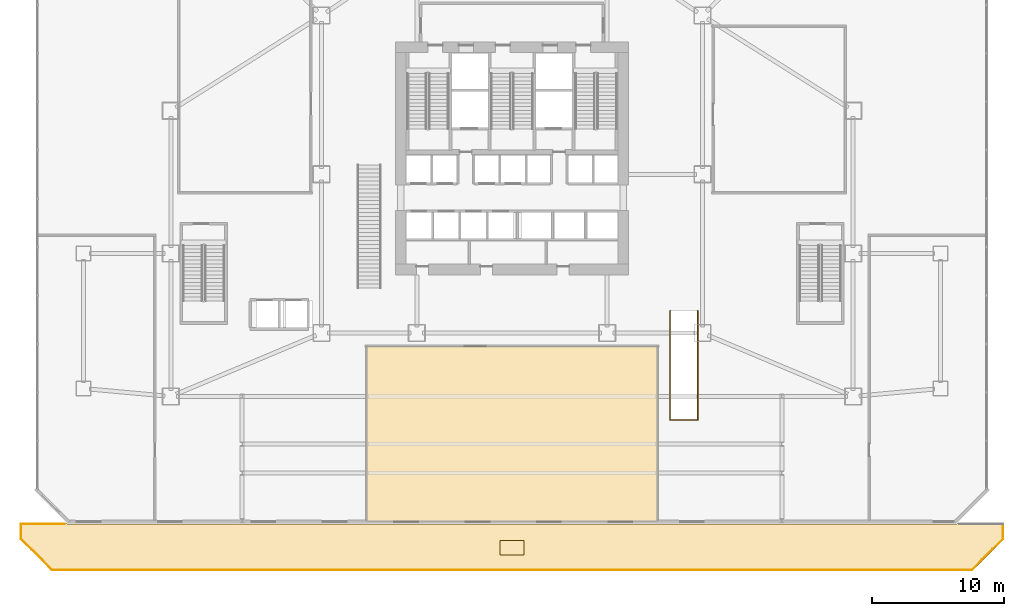
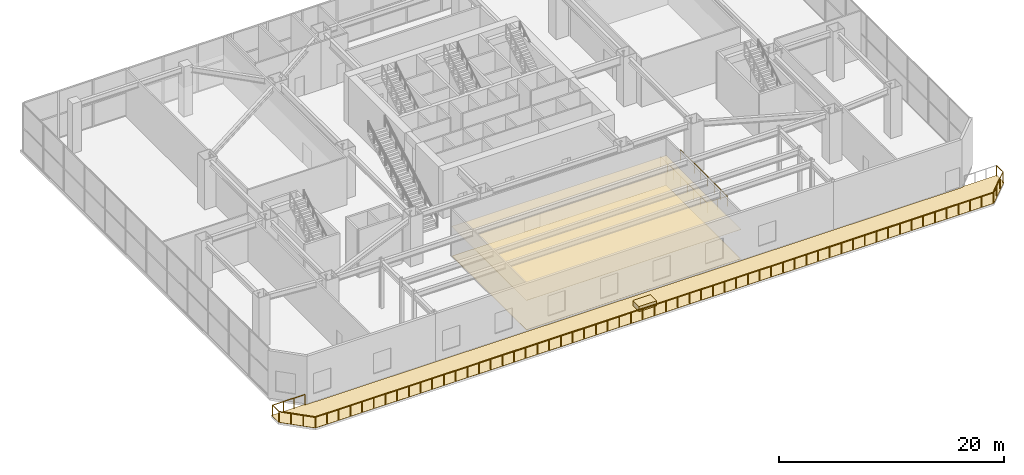
# One storey, part 33 of 37: 4 coverings, 2 railings.
"""IFC4 building model written with IfcOpenShell, lengths in metres."""

from ifc_helpers import new_model, si_unit, direction, frame, origin, origin_2d, place, context, subcontext, project, spatial, polyline, rectangle, circle, outline, extrude, material, layer, layer_set, type_object, element, save


model = new_model("IFC4")

# Units and contexts
model_context = context("Model", 3, precision=1e-05, world=origin(), true_north=direction((0.0, 1.0)))
body_context = subcontext(model_context, "Body", "Model", "MODEL_VIEW")
ifc_project = project(units=[si_unit("LENGTHUNIT", "METRE"), si_unit("AREAUNIT", "SQUARE_METRE"), si_unit("VOLUMEUNIT", "CUBIC_METRE"), si_unit("PLANEANGLEUNIT", "RADIAN"), si_unit("MASSUNIT", "GRAM", prefix="KILO")], contexts=[model_context])

# Site, building, storey
site_placement = place(None, origin())
site = spatial("IfcSite", under=ifc_project, at=site_placement, CompositionType="ELEMENT")
building_placement = place(site_placement, origin())
building = spatial("IfcBuilding", under=site, at=building_placement, Name="Haolan Belvedere Tower", CompositionType="ELEMENT")
storey_placement = place(building_placement, frame((0.0, 0.0, 10.199951171875)))
storey = spatial("IfcBuildingStorey", under=building, at=storey_placement, Name="L02", CompositionType="ELEMENT", Elevation=10.199951171875)

# Coverings
ifc_material_1 = material(Name="Acoustic mineral-fibre suspended ceiling system", Category="masonry")
ifc_layer_1 = layer(ifc_material_1, 0.02490234375, Name="Acoustic mineral-fibre suspended ceiling system")
ifc_layer_set_1 = layer_set([ifc_layer_1], Name="Acoustic mineral-fibre suspended ceiling system")
covering_type_1 = type_object("IfcCoveringType", Name="COV-CEIL-AC25", PredefinedType="CEILING", material=ifc_layer_set_1)
covering_1_placement = place(storey_placement, frame((0.0, 0.0, 3.199951171875)))
element("IfcCovering", 1, at=covering_1_placement, inside=storey, type_object=covering_type_1, Name="L02 suspended acoustic ceiling L02-PFG.1", PredefinedType="CEILING", context=body_context, shape_type="SweptSolid", body=[
    extrude(outline(polyline([(49.412109375, 7.337890625), (49.412109375, 20.612060546875), (27.387939453125, 20.612060546875), (27.387939453125, 7.337890625), (49.412109375, 7.337890625)])), origin(), (0.0, 0.0, 1.0), 0.025146484375),
])
ifc_material_2 = material(Name="Honed terrazzo and natural granite stone flooring", Category="masonry")
ifc_layer_2 = layer(ifc_material_2, 0.014892578125, Name="Honed terrazzo and natural granite stone flooring")
ifc_layer_set_2 = layer_set([ifc_layer_2], Name="Honed terrazzo and natural granite stone flooring")
covering_type_2 = type_object("IfcCoveringType", Name="COV-FLR-STN30", PredefinedType="FLOORING", material=ifc_layer_set_2)
covering_2_placement = place(storey_placement, origin())
element("IfcCovering", 2, at=covering_2_placement, inside=storey, type_object=covering_type_2, Name="L02 polished stone floor finish L02-PFG.1", PredefinedType="FLOORING", context=body_context, shape_type="SweptSolid", body=[
    extrude(outline(polyline([(49.386962890625, 20.5869140625), (27.4130859375, 20.5869140625), (27.4130859375, 7.363037109375), (49.386962890625, 7.363037109375), (49.386962890625, 20.5869140625)])), origin(), (0.0, 0.0, 1.0), 0.01513671875),
])
ifc_material_3 = material(Name="Engineered lightweight planted garden soil substrate", Category="masonry")
ifc_layer_3 = layer(ifc_material_3, 0.550048828125, Name="Engineered lightweight planted garden soil substrate")
ifc_layer_set_3 = layer_set([ifc_layer_3], Name="Engineered lightweight planted garden soil substrate")
covering_type_3 = type_object("IfcCoveringType", Name="COV-PLANT-550", PredefinedType="MEMBRANE", material=ifc_layer_set_3)
covering_3_placement = place(storey_placement, frame((38.39990234375, 5.375, 0.0), z_axis=(0.0, 0.0, 1.0), x_axis=(1.0, 0.0, 0.0)))
element("IfcCovering", 3, at=covering_3_placement, inside=storey, type_object=covering_type_3, Name="L02 cascade garden terrace PLANTER bed 1", PredefinedType="MEMBRANE", context=body_context, shape_type="SweptSolid", body=[
    extrude(rectangle(XDim=1.800048828125, YDim=1.10009765625, at=origin_2d()), origin(), (0.0, 0.0, 1.0), 0.550048828125),
])
ifc_material_4 = material(Name="Elastomeric waterproof roofing membrane and stone pavers", Category="masonry")
ifc_layer_4 = layer(ifc_material_4, 0.02001953125, Name="Elastomeric waterproof roofing membrane and stone pavers")
ifc_layer_set_4 = layer_set([ifc_layer_4], Name="Elastomeric waterproof roofing membrane and stone pavers")
covering_type_4 = type_object("IfcCoveringType", Name="COV-ROOF-20", PredefinedType="ROOFING", material=ifc_layer_set_4)
covering_4_placement = place(storey_placement, frame((0.0, 0.0, -0.02001953125)))
element("IfcCovering", 4, at=covering_4_placement, inside=storey, type_object=covering_type_4, Name="L02 garden terrace waterproof roofing paver 1", PredefinedType="ROOFING", context=body_context, shape_type="SweptSolid", body=[
    extrude(outline(polyline([(75.60009765625, 7.25), (72.120849609375, 7.25), (72.03662109375, 7.166015625), (72.0341796875, 7.163818359375), (72.02978515625, 7.159912109375), (72.025634765625, 7.1572265625), (72.021240234375, 7.15478515625), (72.016845703125, 7.153076171875), (72.01220703125, 7.151611328125), (72.00732421875, 7.150634765625), (72.00146484375, 7.150146484375), (71.998291015625, 7.14990234375), (4.8017578125, 7.14990234375), (4.798583984375, 7.150146484375), (4.792724609375, 7.150634765625), (4.787841796875, 7.151611328125), (4.783203125, 7.153076171875), (4.77880859375, 7.15478515625), (4.7744140625, 7.1572265625), (4.770263671875, 7.159912109375), (4.765625, 7.163818359375), (4.76318359375, 7.166015625), (4.67919921875, 7.25), (1.199951171875, 7.25), (1.199951171875, 6.0), (3.60009765625, 3.60009765625), (73.199951171875, 3.60009765625), (75.60009765625, 6.0), (75.60009765625, 7.25)])), origin(), (0.0, 0.0, 1.0), 0.02001953125),
])

# Railings
ifc_material_5 = material(Name="Brushed stainless steel 304", Category="steel")
railing_type_1 = type_object("IfcRailingType", Name="RL-STAIR-GRD-1150", PredefinedType="GUARDRAIL", material=ifc_material_5)
railing_1_placement = place(storey_placement, frame((50.360107421875, 23.284912109375, 0.0)))
element("IfcRailing", 5, at=railing_1_placement, inside=storey, type_object=railing_type_1, Name="L02 ST7 upper well perimeter guard", PredefinedType="GUARDRAIL", context=body_context, shape_type="SweptSolid", body=[
    extrude(circle(Radius=0.02392578125, at=origin_2d()), frame((0.0, 0.0, 1.1259765625), z_axis=(0.0, -1.0, 0.0), x_axis=(1.0, 0.0, 0.0)), (0.0, 0.0, 1.0), 8.264892578125),
    extrude(circle(Radius=0.02392578125, at=origin_2d()), frame((0.0, -8.264892578125, 1.1259765625), z_axis=(1.0, 0.0, 0.0), x_axis=(0.0, 1.0, 0.0)), (0.0, 0.0, 1.0), 2.079833984375),
    extrude(circle(Radius=0.02392578125, at=origin_2d()), frame((2.079833984375, -8.264892578125, 1.1259765625), z_axis=(0.0, 1.0, 0.0), x_axis=(-1.0, 0.0, 0.0)), (0.0, 0.0, 1.0), 8.264892578125),
    extrude(circle(Radius=0.02099609375, at=origin_2d()), origin(), (0.0, 0.0, 1.0), 1.101806640625),
    extrude(circle(Radius=0.02099609375, at=origin_2d()), frame((0.0, -1.1806640625, 0.0)), (0.0, 0.0, 1.0), 1.101806640625),
    extrude(circle(Radius=0.02099609375, at=origin_2d()), frame((0.0, -2.361328125, 0.0)), (0.0, 0.0, 1.0), 1.101806640625),
    extrude(circle(Radius=0.02099609375, at=origin_2d()), frame((0.0, -3.5419921875, 0.0)), (0.0, 0.0, 1.0), 1.101806640625),
    extrude(circle(Radius=0.02099609375, at=origin_2d()), frame((0.0, -4.722900390625, 0.0)), (0.0, 0.0, 1.0), 1.101806640625),
    extrude(circle(Radius=0.02099609375, at=origin_2d()), frame((0.0, -5.903564453125, 0.0)), (0.0, 0.0, 1.0), 1.101806640625),
    extrude(circle(Radius=0.02099609375, at=origin_2d()), frame((0.0, -7.084228515625, 0.0)), (0.0, 0.0, 1.0), 1.101806640625),
    extrude(circle(Radius=0.02099609375, at=origin_2d()), frame((0.0, -8.264892578125, 0.0)), (0.0, 0.0, 1.0), 1.101806640625),
    extrude(circle(Radius=0.02099609375, at=origin_2d()), frame((1.0400390625, -8.264892578125, 0.0)), (0.0, 0.0, 1.0), 1.101806640625),
    extrude(circle(Radius=0.02099609375, at=origin_2d()), frame((2.079833984375, -8.264892578125, 0.0)), (0.0, 0.0, 1.0), 1.101806640625),
    extrude(circle(Radius=0.02099609375, at=origin_2d()), frame((2.079833984375, -7.084228515625, 0.0)), (0.0, 0.0, 1.0), 1.101806640625),
    extrude(circle(Radius=0.02099609375, at=origin_2d()), frame((2.079833984375, -5.903564453125, 0.0)), (0.0, 0.0, 1.0), 1.101806640625),
    extrude(circle(Radius=0.02099609375, at=origin_2d()), frame((2.079833984375, -4.722900390625, 0.0)), (0.0, 0.0, 1.0), 1.101806640625),
    extrude(circle(Radius=0.02099609375, at=origin_2d()), frame((2.079833984375, -3.5419921875, 0.0)), (0.0, 0.0, 1.0), 1.101806640625),
    extrude(circle(Radius=0.02099609375, at=origin_2d()), frame((2.079833984375, -2.361328125, 0.0)), (0.0, 0.0, 1.0), 1.101806640625),
    extrude(circle(Radius=0.02099609375, at=origin_2d()), frame((2.079833984375, -1.1806640625, 0.0)), (0.0, 0.0, 1.0), 1.101806640625),
    extrude(circle(Radius=0.02099609375, at=origin_2d()), frame((2.079833984375, 0.0, 0.0)), (0.0, 0.0, 1.0), 1.101806640625),
])
ifc_material_6 = material(Name="Anodised aluminium and laminated glass balustrade", Category="aluminium")
railing_type_2 = type_object("IfcRailingType", Name="RL-TER-BAL-1150", PredefinedType="BALUSTRADE", material=ifc_material_6)
railing_2_placement = place(storey_placement, frame((75.52001953125, 7.169921875, 0.0)))
element("IfcRailing", 6, at=railing_2_placement, inside=storey, type_object=railing_type_2, Name="L02 outdoor perimeter balustrade TERR-L02-1-1", PredefinedType="BALUSTRADE", context=body_context, shape_type="SweptSolid", body=[
    extrude(circle(Radius=0.02392578125, at=origin_2d()), frame((0.0, 0.0, 1.1259765625), z_axis=(0.0, -1.0, 0.0), x_axis=(1.0, 0.0, 0.0)), (0.0, 0.0, 1.0), 1.13671875),
    extrude(circle(Radius=0.02392578125, at=origin_2d()), frame((0.0, -1.13671875, 1.1259765625), z_axis=(-0.707070098865, -0.707143461606, 0.0), x_axis=(0.707143461606, -0.707070098865, 0.0)), (0.0, 0.0, 1.0), 3.327880859375),
    extrude(circle(Radius=0.02392578125, at=origin_2d()), frame((-2.35302734375, -3.489990234375, 1.1259765625), z_axis=(-1.0, 0.0, 0.0), x_axis=(0.0, -1.0, 0.0)), (0.0, 0.0, 1.0), 69.533935546875),
    extrude(circle(Radius=0.02392578125, at=origin_2d()), frame((-71.886962890625, -3.489990234375, 1.1259765625), z_axis=(-0.707070098865, 0.707143461606, 0.0), x_axis=(-0.707143461606, -0.707070098865, 0.0)), (0.0, 0.0, 1.0), 3.327880859375),
    extrude(circle(Radius=0.02392578125, at=origin_2d()), frame((-74.239990234375, -1.13671875, 1.1259765625), z_axis=(0.0, 1.0, 0.0), x_axis=(-1.0, 0.0, 0.0)), (0.0, 0.0, 1.0), 1.13671875),
    extrude(circle(Radius=0.02392578125, at=origin_2d()), frame((-74.239990234375, 0.0, 1.1259765625), z_axis=(1.0, 0.0, 0.0), x_axis=(0.0, 1.0, 0.0)), (0.0, 0.0, 1.0), 3.29541015625),
    extrude(circle(Radius=0.02099609375, at=origin_2d()), origin(), (0.0, 0.0, 1.0), 1.101806640625),
    extrude(circle(Radius=0.02099609375, at=origin_2d()), frame((0.0, -1.13671875, 0.0)), (0.0, 0.0, 1.0), 1.101806640625),
    extrude(circle(Radius=0.02099609375, at=origin_2d()), frame((-0.784423828125, -1.921142578125, 0.0)), (0.0, 0.0, 1.0), 1.101806640625),
    extrude(circle(Radius=0.02099609375, at=origin_2d()), frame((-1.568603515625, -2.70556640625, 0.0)), (0.0, 0.0, 1.0), 1.101806640625),
    extrude(circle(Radius=0.02099609375, at=origin_2d()), frame((-2.35302734375, -3.489990234375, 0.0)), (0.0, 0.0, 1.0), 1.101806640625),
    extrude(circle(Radius=0.02099609375, at=origin_2d()), frame((-3.552001953125, -3.489990234375, 0.0)), (0.0, 0.0, 1.0), 1.101806640625),
    extrude(circle(Radius=0.02099609375, at=origin_2d()), frame((-4.750732421875, -3.489990234375, 0.0)), (0.0, 0.0, 1.0), 1.101806640625),
    extrude(circle(Radius=0.02099609375, at=origin_2d()), frame((-5.94970703125, -3.489990234375, 0.0)), (0.0, 0.0, 1.0), 1.101806640625),
    extrude(circle(Radius=0.02099609375, at=origin_2d()), frame((-7.1484375, -3.489990234375, 0.0)), (0.0, 0.0, 1.0), 1.101806640625),
    extrude(circle(Radius=0.02099609375, at=origin_2d()), frame((-8.347412109375, -3.489990234375, 0.0)), (0.0, 0.0, 1.0), 1.101806640625),
    extrude(circle(Radius=0.02099609375, at=origin_2d()), frame((-9.546142578125, -3.489990234375, 0.0)), (0.0, 0.0, 1.0), 1.101806640625),
    extrude(circle(Radius=0.02099609375, at=origin_2d()), frame((-10.7451171875, -3.489990234375, 0.0)), (0.0, 0.0, 1.0), 1.101806640625),
    extrude(circle(Radius=0.02099609375, at=origin_2d()), frame((-11.94384765625, -3.489990234375, 0.0)), (0.0, 0.0, 1.0), 1.101806640625),
    extrude(circle(Radius=0.02099609375, at=origin_2d()), frame((-13.142822265625, -3.489990234375, 0.0)), (0.0, 0.0, 1.0), 1.101806640625),
    extrude(circle(Radius=0.02099609375, at=origin_2d()), frame((-14.341552734375, -3.489990234375, 0.0)), (0.0, 0.0, 1.0), 1.101806640625),
    extrude(circle(Radius=0.02099609375, at=origin_2d()), frame((-15.54052734375, -3.489990234375, 0.0)), (0.0, 0.0, 1.0), 1.101806640625),
    extrude(circle(Radius=0.02099609375, at=origin_2d()), frame((-16.7392578125, -3.489990234375, 0.0)), (0.0, 0.0, 1.0), 1.101806640625),
    extrude(circle(Radius=0.02099609375, at=origin_2d()), frame((-17.938232421875, -3.489990234375, 0.0)), (0.0, 0.0, 1.0), 1.101806640625),
    extrude(circle(Radius=0.02099609375, at=origin_2d()), frame((-19.136962890625, -3.489990234375, 0.0)), (0.0, 0.0, 1.0), 1.101806640625),
    extrude(circle(Radius=0.02099609375, at=origin_2d()), frame((-20.3359375, -3.489990234375, 0.0)), (0.0, 0.0, 1.0), 1.101806640625),
    extrude(circle(Radius=0.02099609375, at=origin_2d()), frame((-21.534912109375, -3.489990234375, 0.0)), (0.0, 0.0, 1.0), 1.101806640625),
    extrude(circle(Radius=0.02099609375, at=origin_2d()), frame((-22.733642578125, -3.489990234375, 0.0)), (0.0, 0.0, 1.0), 1.101806640625),
    extrude(circle(Radius=0.02099609375, at=origin_2d()), frame((-23.9326171875, -3.489990234375, 0.0)), (0.0, 0.0, 1.0), 1.101806640625),
    extrude(circle(Radius=0.02099609375, at=origin_2d()), frame((-25.13134765625, -3.489990234375, 0.0)), (0.0, 0.0, 1.0), 1.101806640625),
    extrude(circle(Radius=0.02099609375, at=origin_2d()), frame((-26.330322265625, -3.489990234375, 0.0)), (0.0, 0.0, 1.0), 1.101806640625),
    extrude(circle(Radius=0.02099609375, at=origin_2d()), frame((-27.529052734375, -3.489990234375, 0.0)), (0.0, 0.0, 1.0), 1.101806640625),
    extrude(circle(Radius=0.02099609375, at=origin_2d()), frame((-28.72802734375, -3.489990234375, 0.0)), (0.0, 0.0, 1.0), 1.101806640625),
    extrude(circle(Radius=0.02099609375, at=origin_2d()), frame((-29.9267578125, -3.489990234375, 0.0)), (0.0, 0.0, 1.0), 1.101806640625),
    extrude(circle(Radius=0.02099609375, at=origin_2d()), frame((-31.125732421875, -3.489990234375, 0.0)), (0.0, 0.0, 1.0), 1.101806640625),
    extrude(circle(Radius=0.02099609375, at=origin_2d()), frame((-32.324462890625, -3.489990234375, 0.0)), (0.0, 0.0, 1.0), 1.101806640625),
    extrude(circle(Radius=0.02099609375, at=origin_2d()), frame((-33.5234375, -3.489990234375, 0.0)), (0.0, 0.0, 1.0), 1.101806640625),
    extrude(circle(Radius=0.02099609375, at=origin_2d()), frame((-34.72216796875, -3.489990234375, 0.0)), (0.0, 0.0, 1.0), 1.101806640625),
    extrude(circle(Radius=0.02099609375, at=origin_2d()), frame((-35.921142578125, -3.489990234375, 0.0)), (0.0, 0.0, 1.0), 1.101806640625),
    extrude(circle(Radius=0.02099609375, at=origin_2d()), frame((-37.1201171875, -3.489990234375, 0.0)), (0.0, 0.0, 1.0), 1.101806640625),
    extrude(circle(Radius=0.02099609375, at=origin_2d()), frame((-38.31884765625, -3.489990234375, 0.0)), (0.0, 0.0, 1.0), 1.101806640625),
    extrude(circle(Radius=0.02099609375, at=origin_2d()), frame((-39.517822265625, -3.489990234375, 0.0)), (0.0, 0.0, 1.0), 1.101806640625),
    extrude(circle(Radius=0.02099609375, at=origin_2d()), frame((-40.716552734375, -3.489990234375, 0.0)), (0.0, 0.0, 1.0), 1.101806640625),
    extrude(circle(Radius=0.02099609375, at=origin_2d()), frame((-41.91552734375, -3.489990234375, 0.0)), (0.0, 0.0, 1.0), 1.101806640625),
    extrude(circle(Radius=0.02099609375, at=origin_2d()), frame((-43.1142578125, -3.489990234375, 0.0)), (0.0, 0.0, 1.0), 1.101806640625),
    extrude(circle(Radius=0.02099609375, at=origin_2d()), frame((-44.313232421875, -3.489990234375, 0.0)), (0.0, 0.0, 1.0), 1.101806640625),
    extrude(circle(Radius=0.02099609375, at=origin_2d()), frame((-45.511962890625, -3.489990234375, 0.0)), (0.0, 0.0, 1.0), 1.101806640625),
    extrude(circle(Radius=0.02099609375, at=origin_2d()), frame((-46.7109375, -3.489990234375, 0.0)), (0.0, 0.0, 1.0), 1.101806640625),
    extrude(circle(Radius=0.02099609375, at=origin_2d()), frame((-47.90966796875, -3.489990234375, 0.0)), (0.0, 0.0, 1.0), 1.101806640625),
    extrude(circle(Radius=0.02099609375, at=origin_2d()), frame((-49.108642578125, -3.489990234375, 0.0)), (0.0, 0.0, 1.0), 1.101806640625),
    extrude(circle(Radius=0.02099609375, at=origin_2d()), frame((-50.307373046875, -3.489990234375, 0.0)), (0.0, 0.0, 1.0), 1.101806640625),
    extrude(circle(Radius=0.02099609375, at=origin_2d()), frame((-51.50634765625, -3.489990234375, 0.0)), (0.0, 0.0, 1.0), 1.101806640625),
    extrude(circle(Radius=0.02099609375, at=origin_2d()), frame((-52.705078125, -3.489990234375, 0.0)), (0.0, 0.0, 1.0), 1.101806640625),
    extrude(circle(Radius=0.02099609375, at=origin_2d()), frame((-53.904052734375, -3.489990234375, 0.0)), (0.0, 0.0, 1.0), 1.101806640625),
    extrude(circle(Radius=0.02099609375, at=origin_2d()), frame((-55.10302734375, -3.489990234375, 0.0)), (0.0, 0.0, 1.0), 1.101806640625),
    extrude(circle(Radius=0.02099609375, at=origin_2d()), frame((-56.3017578125, -3.489990234375, 0.0)), (0.0, 0.0, 1.0), 1.101806640625),
    extrude(circle(Radius=0.02099609375, at=origin_2d()), frame((-57.500732421875, -3.489990234375, 0.0)), (0.0, 0.0, 1.0), 1.101806640625),
    extrude(circle(Radius=0.02099609375, at=origin_2d()), frame((-58.699462890625, -3.489990234375, 0.0)), (0.0, 0.0, 1.0), 1.101806640625),
    extrude(circle(Radius=0.02099609375, at=origin_2d()), frame((-59.8984375, -3.489990234375, 0.0)), (0.0, 0.0, 1.0), 1.101806640625),
    extrude(circle(Radius=0.02099609375, at=origin_2d()), frame((-61.09716796875, -3.489990234375, 0.0)), (0.0, 0.0, 1.0), 1.101806640625),
    extrude(circle(Radius=0.02099609375, at=origin_2d()), frame((-62.296142578125, -3.489990234375, 0.0)), (0.0, 0.0, 1.0), 1.101806640625),
    extrude(circle(Radius=0.02099609375, at=origin_2d()), frame((-63.494873046875, -3.489990234375, 0.0)), (0.0, 0.0, 1.0), 1.101806640625),
    extrude(circle(Radius=0.02099609375, at=origin_2d()), frame((-64.69384765625, -3.489990234375, 0.0)), (0.0, 0.0, 1.0), 1.101806640625),
    extrude(circle(Radius=0.02099609375, at=origin_2d()), frame((-65.892578125, -3.489990234375, 0.0)), (0.0, 0.0, 1.0), 1.101806640625),
    extrude(circle(Radius=0.02099609375, at=origin_2d()), frame((-67.091552734375, -3.489990234375, 0.0)), (0.0, 0.0, 1.0), 1.101806640625),
    extrude(circle(Radius=0.02099609375, at=origin_2d()), frame((-68.290283203125, -3.489990234375, 0.0)), (0.0, 0.0, 1.0), 1.101806640625),
    extrude(circle(Radius=0.02099609375, at=origin_2d()), frame((-69.4892578125, -3.489990234375, 0.0)), (0.0, 0.0, 1.0), 1.101806640625),
    extrude(circle(Radius=0.02099609375, at=origin_2d()), frame((-70.68798828125, -3.489990234375, 0.0)), (0.0, 0.0, 1.0), 1.101806640625),
    extrude(circle(Radius=0.02099609375, at=origin_2d()), frame((-71.886962890625, -3.489990234375, 0.0)), (0.0, 0.0, 1.0), 1.101806640625),
    extrude(circle(Radius=0.02099609375, at=origin_2d()), frame((-72.67138671875, -2.70556640625, 0.0)), (0.0, 0.0, 1.0), 1.101806640625),
    extrude(circle(Radius=0.02099609375, at=origin_2d()), frame((-73.45556640625, -1.921142578125, 0.0)), (0.0, 0.0, 1.0), 1.101806640625),
    extrude(circle(Radius=0.02099609375, at=origin_2d()), frame((-74.239990234375, -1.13671875, 0.0)), (0.0, 0.0, 1.0), 1.101806640625),
    extrude(circle(Radius=0.02099609375, at=origin_2d()), frame((-74.239990234375, 0.0, 0.0)), (0.0, 0.0, 1.0), 1.101806640625),
    extrude(circle(Radius=0.02099609375, at=origin_2d()), frame((-73.1416015625, 0.0, 0.0)), (0.0, 0.0, 1.0), 1.101806640625),
    extrude(circle(Radius=0.02099609375, at=origin_2d()), frame((-72.04296875, 0.0, 0.0)), (0.0, 0.0, 1.0), 1.101806640625),
    extrude(circle(Radius=0.02099609375, at=origin_2d()), frame((-70.944580078125, 0.0, 0.0)), (0.0, 0.0, 1.0), 1.101806640625),
])

save(model, "model.ifc")
